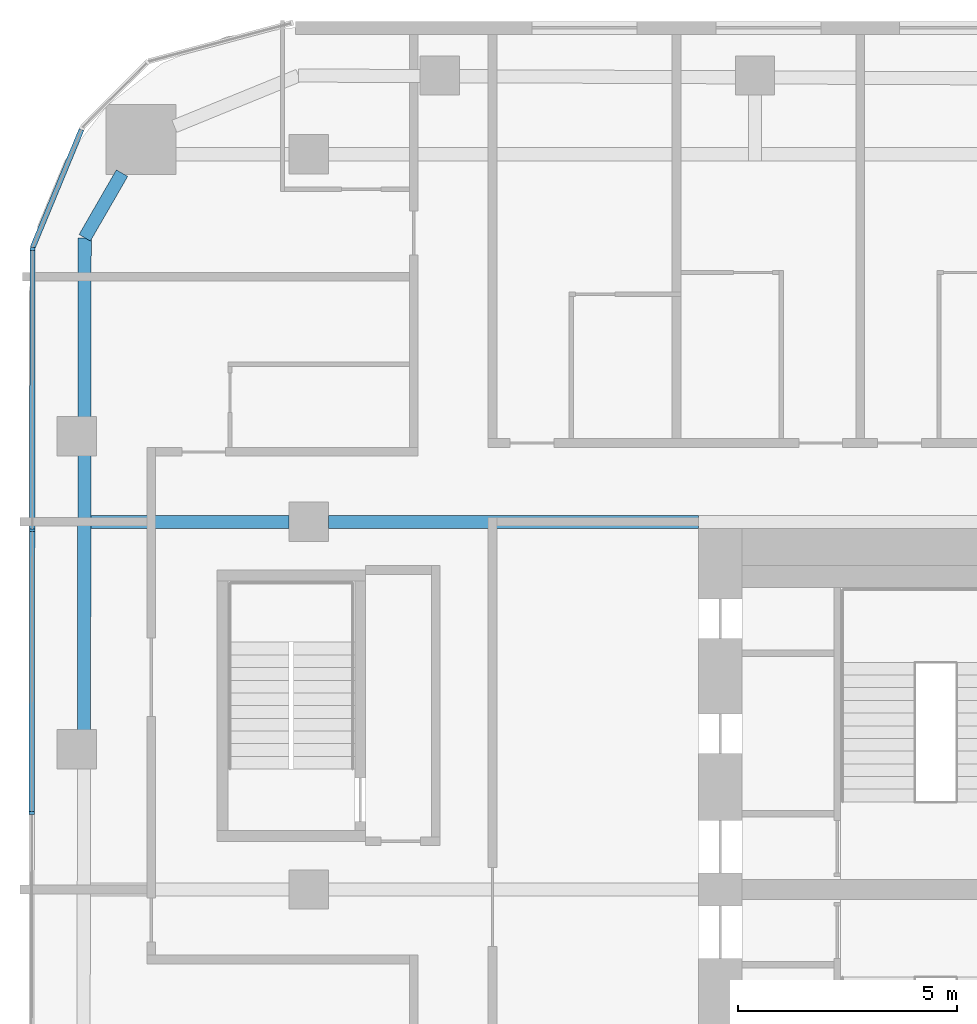
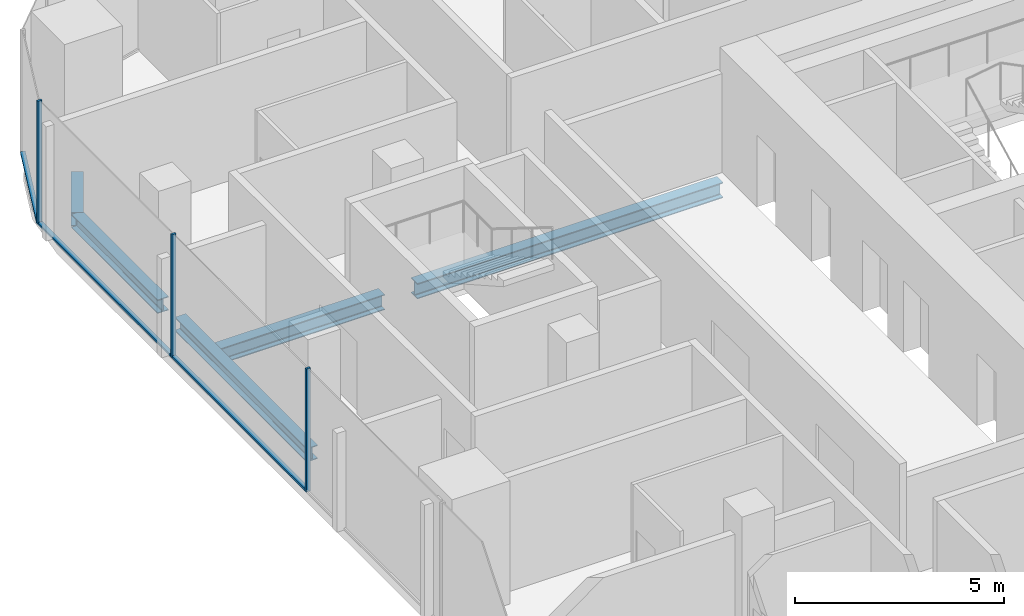
# One storey, part 8 of 23: 6 members, 5 beams, 2 elements without a shape of their own.
"""IFC4 building model written with IfcOpenShell, lengths in metres."""

import ifcopenshell
import ifcopenshell.guid

model = None  # the IFC model being written
_history = None  # IfcOwnerHistory: only IFC2X3 demands one
_inside = {}  # id of a spatial element -> (the spatial element, [elements in it])
_under = {}  # id of a project, library or spatial element -> (it, [spatial elements below it])
_declared = {}  # id of a project -> (the project, [libraries it declares])
_typed = {}  # id of a type object -> (the type object, [elements of that type])
_made_of = {}  # id of a material, layer set ... -> (it, [elements and type objects made of it])


def new_model(schema):
    """Start an empty IFC model of exactly this schema.

    Asked for "IFC4X3", IfcOpenShell would pick the latest addendum, in which some entities
    have other attributes; the version numbers below select the first issue.
    IFC2X3 requires an IfcOwnerHistory on every rooted entity: one is made here for all.
    """
    global model, _history
    if schema == "IFC4X3":
        model = ifcopenshell.file(schema_version=(4, 3, 0, 0))
    else:
        model = ifcopenshell.file(schema=schema)
    _inside.clear()
    _under.clear()
    _declared.clear()
    _typed.clear()
    _made_of.clear()
    _history = None
    if model.schema == "IFC2X3":
        org = make("IfcOrganization", Name="unknown")
        user = make(
            "IfcPersonAndOrganization",
            ThePerson=make("IfcPerson", FamilyName="unknown"),
            TheOrganization=org,
        )
        app = make(
            "IfcApplication",
            ApplicationDeveloper=org,
            Version="unknown",
            ApplicationFullName="unknown",
            ApplicationIdentifier="unknown",
        )
        _history = make(
            "IfcOwnerHistory",
            OwningUser=user,
            OwningApplication=app,
            ChangeAction="ADDED",
            CreationDate=0,
        )
    return model


def make(cls, **values):
    """One entity of the class cls with the attributes given. An attribute that is None is left unset."""
    return model.create_entity(
        cls, **{name: value for name, value in values.items() if value is not None}
    )


def rooted(cls, **values):
    """An entity with a GlobalId (a new one), such as an element, a storey or a relation."""
    return make(cls, GlobalId=ifcopenshell.guid.new(), OwnerHistory=_history, **values)


def si_unit(unit_type, name, prefix=None):
    """IfcSIUnit, for example si_unit("LENGTHUNIT", "METRE", prefix="MILLI")."""
    return make("IfcSIUnit", UnitType=unit_type, Prefix=prefix, Name=name)


def assignment(units):
    """IfcUnitAssignment: the units of a project."""
    return None if units is None else make("IfcUnitAssignment", Units=units)


def point(xyz):
    """IfcCartesianPoint."""
    return None if xyz is None else make("IfcCartesianPoint", Coordinates=xyz)


def direction(xyz):
    """IfcDirection."""
    return None if xyz is None else make("IfcDirection", DirectionRatios=xyz)


def frame(location, z_axis=None, x_axis=None):
    """IfcAxis2Placement3D, a coordinate frame: its origin and axes. An axis left out is left unset."""
    return make(
        "IfcAxis2Placement3D",
        Location=point(location),
        Axis=direction(z_axis),
        RefDirection=direction(x_axis),
    )


def frame_2d(location, x_axis=None):
    """IfcAxis2Placement2D, a coordinate frame in the plane: its origin and x axis."""
    return make(
        "IfcAxis2Placement2D", Location=point(location), RefDirection=direction(x_axis)
    )


def origin():
    """The frame at (0, 0, 0) with its axes left unset."""
    return frame((0.0, 0.0, 0.0))


def origin_2d():
    """The frame at (0, 0) in the plane with its x axis left unset."""
    return frame_2d((0.0, 0.0))


def place(relative_to, where):
    """IfcLocalPlacement: puts the frame where relative to a parent placement (None: the world)."""
    return make(
        "IfcLocalPlacement", PlacementRelTo=relative_to, RelativePlacement=where
    )


def context(
    kind, dimensions, precision=None, world=None, true_north=None, identifier=None
):
    """IfcGeometricRepresentationContext, for example the 3D "Model" context."""
    return make(
        "IfcGeometricRepresentationContext",
        ContextIdentifier=identifier,
        ContextType=kind,
        CoordinateSpaceDimension=dimensions,
        Precision=precision,
        WorldCoordinateSystem=world,
        TrueNorth=true_north,
    )


def subcontext(parent, identifier, kind, view, scale=None):
    """IfcGeometricRepresentationSubContext, for example "Body" below "Model"."""
    return make(
        "IfcGeometricRepresentationSubContext",
        ContextIdentifier=identifier,
        ContextType=kind,
        ParentContext=parent,
        TargetScale=scale,
        TargetView=view,
    )


def project(units=None, contexts=None):
    """IfcProject with its units and contexts."""
    return rooted(
        "IfcProject",
        Name="project",
        RepresentationContexts=contexts,
        UnitsInContext=assignment(units),
    )


def spatial(cls, under=None, at=None, **own):
    """A site, building, storey or space (cls), placed at a placement, below another one or the project."""
    s = rooted(cls, ObjectPlacement=at, **own)
    if under is not None:
        _under.setdefault(under.id(), (under, []))[1].append(s)
    return s


def profile(cls, at=None, kind="AREA", **sizes):
    """A parametric profile (cls). Its sizes go by their IFC names, for example OverallWidth=200.0."""
    return make(cls, ProfileType=kind, Position=at, **sizes)


def rectangle(**sizes):
    """IfcRectangleProfileDef."""
    return profile("IfcRectangleProfileDef", **sizes)


def i_section(**sizes):
    """IfcIShapeProfileDef."""
    return profile("IfcIShapeProfileDef", **sizes)


def extrude(swept, where, along, depth):
    """IfcExtrudedAreaSolid: the profile swept, set in the frame where, extruded along a direction by depth."""
    return make(
        "IfcExtrudedAreaSolid",
        SweptArea=swept,
        Position=where,
        ExtrudedDirection=direction(along),
        Depth=depth,
    )


def shape(context_of_items, identifier, shape_type, items):
    """IfcShapeRepresentation: the items that make up one representation, for example the "Body"."""
    return make(
        "IfcShapeRepresentation",
        ContextOfItems=context_of_items,
        RepresentationIdentifier=identifier,
        RepresentationType=shape_type,
        Items=items,
    )


def material(Name=None, Category=None):
    """IfcMaterial."""
    return make("IfcMaterial", Name=Name, Category=Category)


def layer(
    of_material, thickness, ventilated=None, Name=None, Category=None, Priority=None
):
    """IfcMaterialLayer: one layer of a wall or slab, of a material (None: an air gap)."""
    return make(
        "IfcMaterialLayer",
        Material=of_material,
        LayerThickness=thickness,
        IsVentilated=ventilated,
        Name=Name,
        Category=Category,
        Priority=Priority,
    )


def layer_set(layers, Name=None):
    """IfcMaterialLayerSet."""
    return make("IfcMaterialLayerSet", MaterialLayers=layers, LayerSetName=Name)


def material_profile(
    of_material, cross_section, Name=None, Category=None, Priority=None
):
    """IfcMaterialProfile: a cross section and its material."""
    return make(
        "IfcMaterialProfile",
        Name=Name,
        Material=of_material,
        Profile=cross_section,
        Priority=Priority,
        Category=Category,
    )


def profile_set(profiles, Name=None, composite=None):
    """IfcMaterialProfileSet."""
    return make(
        "IfcMaterialProfileSet",
        Name=Name,
        MaterialProfiles=profiles,
        CompositeProfile=composite,
    )


def made_of(thing, what):
    """Note that an element or type object is made of a material, layer set ...; save() writes the relation."""
    if what is not None:
        _made_of.setdefault(what.id(), (what, []))[1].append(thing)
    return thing


def type_object(cls, material=None, **own):
    """A type object (cls), such as IfcWallType, which elements share."""
    return made_of(rooted(cls, **own), material)


def element(
    cls,
    number,
    at=None,
    inside=None,
    cuts=None,
    type_object=None,
    material=None,
    context=None,
    identifier="Body",
    shape_type=None,
    held_by="IfcProductDefinitionShape",
    body=None,
    shapes=None,
    **own,
):
    """One element of the class cls, such as IfcWall. Its Tag is "e" and its number.

    at: its placement. inside: the storey or other place that contains it. cuts: it is an
    opening in that element (IfcRelVoidsElement). A single representation is given by context,
    identifier, shape_type and body (its items); several are given by shapes. held_by: the class
    of the entity that holds the representations. save() writes the other relations.
    """
    e = rooted(cls, Tag="e%d" % number, ObjectPlacement=at, **own)
    if body is not None:
        shapes = [shape(context, identifier, shape_type, body)]
    if shapes is not None:
        e.Representation = make(held_by, Representations=shapes)
    if inside is not None:
        _inside.setdefault(inside.id(), (inside, []))[1].append(e)
    if cuts is not None:
        rooted(
            "IfcRelVoidsElement", RelatingBuildingElement=cuts, RelatedOpeningElement=e
        )
    if type_object is not None:
        _typed.setdefault(type_object.id(), (type_object, []))[1].append(e)
    return made_of(e, material)


def aggregate(whole, parts):
    """IfcRelAggregates: a whole, such as a stair, and the parts it consists of."""
    return rooted("IfcRelAggregates", RelatingObject=whole, RelatedObjects=parts)


def save(model, path):
    """Write the relations noted so far, then the file.

    IfcRelAggregates (storeys below a building ...), IfcRelContainedInSpatialStructure (elements
    in a storey), IfcRelDefinesByType, IfcRelAssociatesMaterial and IfcRelDeclares: one each for
    every whole, place, type object, material and project.
    """
    for whole, parts in _under.values():
        aggregate(whole, parts)
    for where, things in _inside.values():
        rooted(
            "IfcRelContainedInSpatialStructure",
            RelatedElements=things,
            RelatingStructure=where,
        )
    for kind, things in _typed.values():
        rooted("IfcRelDefinesByType", RelatedObjects=things, RelatingType=kind)
    for what, things in _made_of.values():
        rooted("IfcRelAssociatesMaterial", RelatedObjects=things, RelatingMaterial=what)
    for by, libraries in _declared.values():
        rooted("IfcRelDeclares", RelatingContext=by, RelatedDefinitions=libraries)
    model.write(path)


model = new_model("IFC4")

# Units and contexts
model_context = context("Model", 3, precision=1e-05, world=origin(), true_north=direction((0.0, 1.0)))
body_context = subcontext(model_context, "Body", "Model", "MODEL_VIEW")
ifc_project = project(units=[si_unit("LENGTHUNIT", "METRE"), si_unit("AREAUNIT", "SQUARE_METRE"), si_unit("VOLUMEUNIT", "CUBIC_METRE"), si_unit("PLANEANGLEUNIT", "RADIAN"), si_unit("MASSUNIT", "GRAM", prefix="KILO")], contexts=[model_context])

# Site, building, storey
site_placement = place(None, origin())
site = spatial("IfcSite", under=ifc_project, at=site_placement, CompositionType="ELEMENT")
building_placement = place(site_placement, origin())
building = spatial("IfcBuilding", under=site, at=building_placement, Name="Marenta Gate Hotel Tower", CompositionType="ELEMENT")
storey_placement = place(building_placement, frame((0.0, 0.0, 119.300048828125)))
storey = spatial("IfcBuildingStorey", under=building, at=storey_placement, Name="L26", CompositionType="ELEMENT", Elevation=119.300048828125)

# Beams
ifc_material_1 = material(Name="Steel S355", Category="steel")
ifc_material_profile_1 = material_profile(ifc_material_1, i_section(OverallWidth=0.300048828125, OverallDepth=0.39990234375, WebThickness=0.013427734375, FlangeThickness=0.02392578125, FilletRadius=0.027099609375, at=origin_2d()), Name="HEB 400")
ifc_profile_set_1 = profile_set([ifc_material_profile_1], Name="Steel S355")
beam_type_1 = type_object("IfcBeamType", Name="Edge beam HEB 400", PredefinedType="SPANDREL", material=ifc_profile_set_1)
beam_1_placement = place(storey_placement, frame((-26.136962890625, 12.01318359375, -0.4599609375), z_axis=(0.001387763206, 0.999999037056, 0.0), x_axis=(-0.999999037056, 0.001387763206, 0.0)))
element("IfcBeam", 1, at=beam_1_placement, inside=storey, type_object=beam_type_1, Name="L26-EB-9", PredefinedType="SPANDREL", context=body_context, shape_type="SweptSolid", body=[
    extrude(i_section(OverallWidth=0.300048828125, OverallDepth=0.39990234375, WebThickness=0.013427734375, FlangeThickness=0.02392578125, FilletRadius=0.027099609375, at=origin_2d()), origin(), (0.0, 0.0, 1.0), 6.333251953125),
])
beam_2_placement = place(storey_placement, frame((-26.126953125, 19.16650390625, -0.4599609375), z_axis=(0.001361187116, 0.999999073584, 0.0), x_axis=(-0.999999073584, 0.001361187116, 0.0)))
element("IfcBeam", 2, at=beam_2_placement, inside=storey, type_object=beam_type_1, Name="L26-EB-10", PredefinedType="SPANDREL", context=body_context, shape_type="SweptSolid", body=[
    extrude(i_section(OverallWidth=0.300048828125, OverallDepth=0.39990234375, WebThickness=0.013427734375, FlangeThickness=0.02392578125, FilletRadius=0.027099609375, at=origin_2d()), origin(), (0.0, 0.0, 1.0), 4.125244140625),
])
beam_3_placement = place(storey_placement, frame((-26.121337890625, 23.291748046875, -0.4599609375), z_axis=(0.500015459501, 0.866016478054, 0.0), x_axis=(-0.866016478054, 0.500015459501, 0.0)))
element("IfcBeam", 3, at=beam_3_placement, inside=storey, type_object=beam_type_1, Name="L26-EB-11", PredefinedType="SPANDREL", context=body_context, shape_type="SweptSolid", body=[
    extrude(i_section(OverallWidth=0.300048828125, OverallDepth=0.39990234375, WebThickness=0.013427734375, FlangeThickness=0.02392578125, FilletRadius=0.027099609375, at=origin_2d()), origin(), (0.0, 0.0, 1.0), 1.70703125),
])
ifc_material_2 = material(Name="Steel S355", Category="steel")
ifc_material_profile_2 = material_profile(ifc_material_2, i_section(OverallWidth=0.300048828125, OverallDepth=0.449951171875, WebThickness=0.013916015625, FlangeThickness=0.02587890625, FilletRadius=0.027099609375, at=origin_2d()), Name="HEB 450")
ifc_profile_set_2 = profile_set([ifc_material_profile_2], Name="Steel S355")
beam_type_2 = type_object("IfcBeamType", Name="Girder HEB 450", PredefinedType="BEAM", material=ifc_profile_set_2)
beam_4_placement = place(storey_placement, frame((-25.980224609375, 16.800048828125, -0.485107421875), z_axis=(1.0, 0.0, 0.0), x_axis=(0.0, 1.0, 0.0)))
element("IfcBeam", 4, at=beam_4_placement, inside=storey, type_object=beam_type_2, Name="L26-GD-24", PredefinedType="BEAM", context=body_context, shape_type="SweptSolid", body=[
    extrude(i_section(OverallWidth=0.300048828125, OverallDepth=0.449951171875, WebThickness=0.013916015625, FlangeThickness=0.02587890625, FilletRadius=0.027099609375, at=origin_2d()), origin(), (0.0, 0.0, 1.0), 4.5302734375),
])
beam_5_placement = place(storey_placement, frame((-20.550048828125, 16.800048828125, -0.485107421875), z_axis=(1.0, 0.0, 0.0), x_axis=(0.0, 1.0, 0.0)))
element("IfcBeam", 5, at=beam_5_placement, inside=storey, type_object=beam_type_2, Name="L26-GD-25", PredefinedType="BEAM", context=body_context, shape_type="SweptSolid", body=[
    extrude(i_section(OverallWidth=0.300048828125, OverallDepth=0.449951171875, WebThickness=0.013916015625, FlangeThickness=0.02587890625, FilletRadius=0.027099609375, at=origin_2d()), origin(), (0.0, 0.0, 1.0), 8.449951171875),
])

# Curtain wall, members
ifc_material_3 = material(Name="Tinted insulated glass in bronze anodised frame", Category="glass")
ifc_layer = layer(ifc_material_3, 0.1201171875)
ifc_layer_set = layer_set([ifc_layer], Name="Tinted insulated glass in bronze anodised frame")
curtain_wall_type = type_object("IfcCurtainWallType", Name="Tower unitised curtain wall CW1", PredefinedType="NOTDEFINED", material=ifc_layer_set)
curtain_wall_1_placement = place(storey_placement, origin())
curtain_wall_1 = element("IfcCurtainWall", 6, at=curtain_wall_1_placement, inside=storey, type_object=curtain_wall_type, Name="CW1 run G03", PredefinedType="NOTDEFINED")
ifc_material_4 = material(Name="Bronze anodised aluminium", Category="aluminium")
ifc_material_profile_3 = material_profile(ifc_material_4, rectangle(XDim=0.1201171875, YDim=0.06005859375, at=origin_2d()), Name="Mullion CW1 60x120 bronze anodised aluminium")
ifc_profile_set_3 = profile_set([ifc_material_profile_3], Name="Bronze anodised aluminium")
member_type_1 = type_object("IfcMemberType", Name="Mullion CW1 60x120 bronze anodised aluminium", PredefinedType="MULLION", material=ifc_profile_set_3)
member_1_placement = place(storey_placement, frame((-27.312255859375, 23.0361328125, 0.0), z_axis=(0.0, 0.0, 1.0), x_axis=(0.99999877375, -0.001566045546, 0.0)))
member_1 = element("IfcMember", 7, at=member_1_placement, type_object=member_type_1, Name="CW1 mullion 1", PredefinedType="MULLION", context=body_context, shape_type="SweptSolid", body=[
    extrude(rectangle(XDim=0.1201171875, YDim=0.06005859375, at=origin_2d()), origin(), (0.0, 0.0, 1.0), 3.599853515625),
])
member_2_placement = place(storey_placement, frame((-27.322509765625, 16.606201171875, 0.0), z_axis=(0.0, 0.0, 1.0), x_axis=(0.99999877375, -0.001566045546, 0.0)))
member_2 = element("IfcMember", 8, at=member_2_placement, type_object=member_type_1, Name="CW1 mullion 2", PredefinedType="MULLION", context=body_context, shape_type="SweptSolid", body=[
    extrude(rectangle(XDim=0.1201171875, YDim=0.06005859375, at=origin_2d()), origin(), (0.0, 0.0, 1.0), 3.599853515625),
])
member_3_placement = place(storey_placement, frame((-27.33251953125, 10.146240234375, 0.0), z_axis=(0.0, 0.0, 1.0), x_axis=(0.99999877375, -0.001566045546, 0.0)))
member_3 = element("IfcMember", 9, at=member_3_placement, type_object=member_type_1, Name="CW1 mullion 3", PredefinedType="MULLION", context=body_context, shape_type="SweptSolid", body=[
    extrude(rectangle(XDim=0.1201171875, YDim=0.06005859375, at=origin_2d()), origin(), (0.0, 0.0, 1.0), 3.599853515625),
])

# Curtain wall, member
curtain_wall_2_placement = place(storey_placement, origin())
curtain_wall_2 = element("IfcCurtainWall", 10, at=curtain_wall_2_placement, inside=storey, type_object=curtain_wall_type, Name="CW1 run G02", PredefinedType="NOTDEFINED")
ifc_material_5 = material(Name="Bronze anodised aluminium", Category="aluminium")
ifc_material_profile_4 = material_profile(ifc_material_5, rectangle(XDim=0.1201171875, YDim=0.06005859375, at=origin_2d()), Name="Transom CW1 60x120 bronze anodised aluminium")
ifc_profile_set_4 = profile_set([ifc_material_profile_4], Name="Bronze anodised aluminium")
member_type_2 = type_object("IfcMemberType", Name="Transom CW1 60x120 bronze anodised aluminium", PredefinedType="USERDEFINED", material=ifc_profile_set_4)
member_4_placement = place(storey_placement, frame((-26.1953125, 25.76318359375, 0.030029296875), z_axis=(-0.382625093284, -0.923903695192, 0.0), x_axis=(0.923903695192, -0.382625093284, 0.0)))
member_4 = element("IfcMember", 11, at=member_4_placement, type_object=member_type_2, Name="CW1 transom 1.1", ObjectType="TRANSOM", PredefinedType="USERDEFINED", context=body_context, shape_type="SweptSolid", body=[
    extrude(rectangle(XDim=0.1201171875, YDim=0.06005859375, at=origin_2d()), origin(), (0.0, 0.0, 1.0), 2.919189453125),
])
aggregate(curtain_wall_2, [member_4])

# Member
member_5_placement = place(storey_placement, frame((-27.3125, 23.006103515625, 0.030029296875), z_axis=(-0.001533093902, -0.999998824811, 0.0), x_axis=(0.999998824811, -0.001533093902, 0.0)))
member_5 = element("IfcMember", 12, at=member_5_placement, type_object=member_type_2, Name="CW1 transom 1.1", ObjectType="TRANSOM", PredefinedType="USERDEFINED", context=body_context, shape_type="SweptSolid", body=[
    extrude(rectangle(XDim=0.1201171875, YDim=0.06005859375, at=origin_2d()), origin(), (0.0, 0.0, 1.0), 6.369873046875),
])

member_6_placement = place(storey_placement, frame((-27.322509765625, 16.576171875, 0.030029296875), z_axis=(-0.001564047831, -0.999998776876, 0.0), x_axis=(0.999998776876, -0.001564047831, 0.0)))
member_6 = element("IfcMember", 13, at=member_6_placement, type_object=member_type_2, Name="CW1 transom 2.1", ObjectType="TRANSOM", PredefinedType="USERDEFINED", context=body_context, shape_type="SweptSolid", body=[
    extrude(rectangle(XDim=0.1201171875, YDim=0.06005859375, at=origin_2d()), origin(), (0.0, 0.0, 1.0), 6.39990234375),
])

aggregate(curtain_wall_1, [member_1, member_2, member_3, member_5, member_6])

save(model, "model.ifc")
